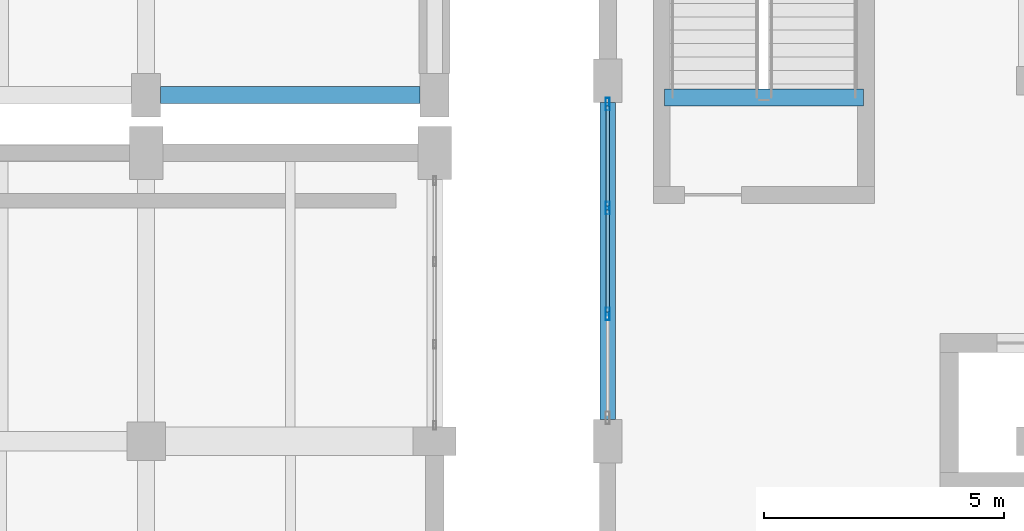
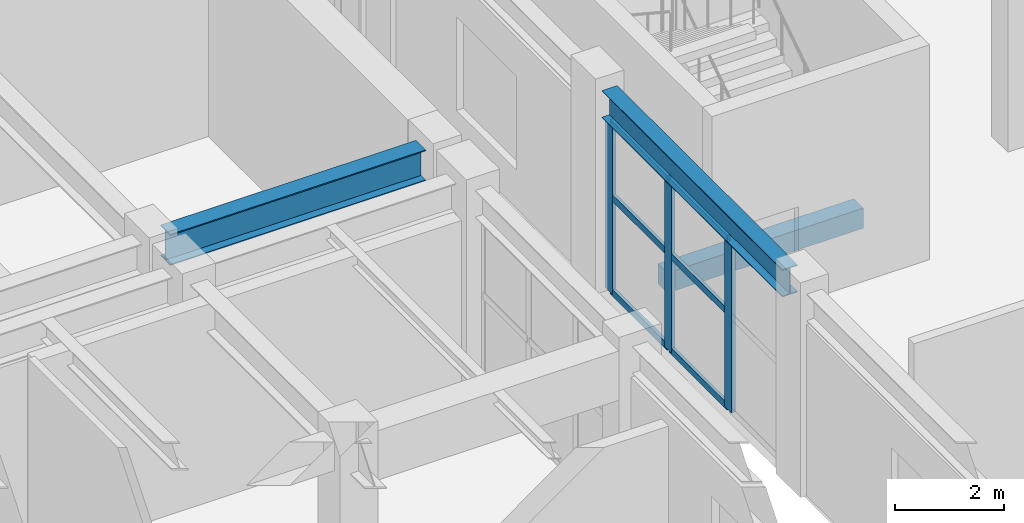
# One storey, part 49 of 96: 9 members, 3 beams, 1 element without a shape of its own.
"""IFC4 building model written with IfcOpenShell, lengths in metres."""

from ifc_helpers import new_model, si_unit, direction, frame, origin, origin_2d, place, context, subcontext, project, spatial, rectangle, hollow_rectangle, i_section, extrude, material, layer, layer_set, material_profile, profile_set, type_object, element, aggregate, save


model = new_model("IFC4")

# Units and contexts
model_context = context("Model", 3, precision=1e-05, world=origin(), true_north=direction((0.0, 1.0)))
body_context = subcontext(model_context, "Body", "Model", "MODEL_VIEW")
ifc_project = project(units=[si_unit("LENGTHUNIT", "METRE"), si_unit("AREAUNIT", "SQUARE_METRE"), si_unit("VOLUMEUNIT", "CUBIC_METRE"), si_unit("PLANEANGLEUNIT", "RADIAN"), si_unit("MASSUNIT", "GRAM", prefix="KILO")], contexts=[model_context])

# Site, building, storey
site_placement = place(None, origin())
site = spatial("IfcSite", under=ifc_project, at=site_placement, CompositionType="ELEMENT")
building_placement = place(site_placement, origin())
building = spatial("IfcBuilding", under=site, at=building_placement, Name="Vaelkrest Opera House", CompositionType="ELEMENT")
storey_placement = place(building_placement, frame((0.0, 0.0, 5.39990234375)))
storey = spatial("IfcBuildingStorey", under=building, at=storey_placement, Name="L01", CompositionType="ELEMENT", Elevation=5.39990234375)

# Curtain wall, members
ifc_material_1 = material(Name="Dark bronze anodized aluminium", Category="aluminium")
ifc_layer = layer(ifc_material_1, 0.25)
ifc_layer_set = layer_set([ifc_layer], Name="Dark bronze anodized aluminium")
curtain_wall_type = type_object("IfcCurtainWallType", Name="CW08", PredefinedType="NOTDEFINED", material=ifc_layer_set)
curtain_wall_placement = place(storey_placement, origin())
curtain_wall = element("IfcCurtainWall", 1, at=curtain_wall_placement, inside=storey, type_object=curtain_wall_type, Name="Curtain wall CW-L01-155", PredefinedType="NOTDEFINED")
ifc_material_profile_1 = material_profile(ifc_material_1, hollow_rectangle(XDim=0.080078125, YDim=0.260009765625, WallThickness=0.0048828125, at=origin_2d()), Name="CWM80X260")
ifc_profile_set_1 = profile_set([ifc_material_profile_1], Name="Dark bronze anodized aluminium")
member_type_1 = type_object("IfcMemberType", Name="CWM04", PredefinedType="MULLION", material=ifc_profile_set_1)
member_1_placement = place(storey_placement, frame((33.60009765625, 12.849365234375, 0.0), z_axis=(0.0, 0.0, 1.0), x_axis=(-1.0, 0.0, 0.0)))
member_1 = element("IfcMember", 2, at=member_1_placement, type_object=member_type_1, Name="CW08 mullion 2", PredefinedType="MULLION", context=body_context, shape_type="SweptSolid", body=[
    extrude(hollow_rectangle(XDim=0.080078125, YDim=0.260009765625, WallThickness=0.0048828125, at=origin_2d()), origin(), (0.0, 0.0, 1.0), 3.82421875),
])
member_2_placement = place(storey_placement, frame((33.60009765625, 15.05078125, 0.0), z_axis=(0.0, 0.0, 1.0), x_axis=(-1.0, 0.0, 0.0)))
member_2 = element("IfcMember", 3, at=member_2_placement, type_object=member_type_1, Name="CW08 mullion 3", PredefinedType="MULLION", context=body_context, shape_type="SweptSolid", body=[
    extrude(hollow_rectangle(XDim=0.080078125, YDim=0.260009765625, WallThickness=0.0048828125, at=origin_2d()), origin(), (0.0, 0.0, 1.0), 3.82421875),
])
member_3_placement = place(storey_placement, frame((33.60009765625, 17.2119140625, 0.0), z_axis=(0.0, 0.0, 1.0), x_axis=(-1.0, 0.0, 0.0)))
member_3 = element("IfcMember", 4, at=member_3_placement, type_object=member_type_1, Name="CW08 mullion 4", PredefinedType="MULLION", context=body_context, shape_type="SweptSolid", body=[
    extrude(hollow_rectangle(XDim=0.080078125, YDim=0.260009765625, WallThickness=0.0048828125, at=origin_2d()), origin(), (0.0, 0.0, 1.0), 3.82421875),
])
ifc_material_profile_2 = material_profile(ifc_material_1, hollow_rectangle(XDim=0.070068359375, YDim=0.14990234375, WallThickness=0.004150390625, at=origin_2d()), Name="CWT70X150")
ifc_profile_set_2 = profile_set([ifc_material_profile_2], Name="Dark bronze anodized aluminium")
member_type_2 = type_object("IfcMemberType", Name="CWT02", PredefinedType="USERDEFINED", material=ifc_profile_set_2)
member_4_placement = place(storey_placement, frame((33.60009765625, 12.889404296875, 0.03515625), z_axis=(0.0, 1.0, 0.0), x_axis=(-1.0, 0.0, 0.0)))
member_4 = element("IfcMember", 5, at=member_4_placement, type_object=member_type_2, Name="CW08 transom 2.1", ObjectType="TRANSOM", PredefinedType="USERDEFINED", context=body_context, shape_type="SweptSolid", body=[
    extrude(hollow_rectangle(XDim=0.070068359375, YDim=0.14990234375, WallThickness=0.004150390625, at=origin_2d()), origin(), (0.0, 0.0, 1.0), 2.121337890625),
])
member_5_placement = place(storey_placement, frame((33.60009765625, 12.889404296875, 2.150146484375), z_axis=(0.0, 1.0, 0.0), x_axis=(-1.0, 0.0, 0.0)))
member_5 = element("IfcMember", 6, at=member_5_placement, type_object=member_type_2, Name="CW08 transom 2.2", ObjectType="TRANSOM", PredefinedType="USERDEFINED", context=body_context, shape_type="SweptSolid", body=[
    extrude(hollow_rectangle(XDim=0.070068359375, YDim=0.14990234375, WallThickness=0.004150390625, at=origin_2d()), origin(), (0.0, 0.0, 1.0), 2.121337890625),
])
member_6_placement = place(storey_placement, frame((33.60009765625, 12.889404296875, 3.7890625), z_axis=(0.0, 1.0, 0.0), x_axis=(-1.0, 0.0, 0.0)))
member_6 = element("IfcMember", 7, at=member_6_placement, type_object=member_type_2, Name="CW08 transom 2.3", ObjectType="TRANSOM", PredefinedType="USERDEFINED", context=body_context, shape_type="SweptSolid", body=[
    extrude(hollow_rectangle(XDim=0.070068359375, YDim=0.14990234375, WallThickness=0.004150390625, at=origin_2d()), origin(), (0.0, 0.0, 1.0), 2.121337890625),
])
member_7_placement = place(storey_placement, frame((33.60009765625, 15.090576171875, 0.03515625), z_axis=(0.0, 1.0, 0.0), x_axis=(-1.0, 0.0, 0.0)))
member_7 = element("IfcMember", 8, at=member_7_placement, type_object=member_type_2, Name="CW08 transom 3.1", ObjectType="TRANSOM", PredefinedType="USERDEFINED", context=body_context, shape_type="SweptSolid", body=[
    extrude(hollow_rectangle(XDim=0.070068359375, YDim=0.14990234375, WallThickness=0.004150390625, at=origin_2d()), origin(), (0.0, 0.0, 1.0), 2.08154296875),
])
member_8_placement = place(storey_placement, frame((33.60009765625, 15.090576171875, 2.150146484375), z_axis=(0.0, 1.0, 0.0), x_axis=(-1.0, 0.0, 0.0)))
member_8 = element("IfcMember", 9, at=member_8_placement, type_object=member_type_2, Name="CW08 transom 3.2", ObjectType="TRANSOM", PredefinedType="USERDEFINED", context=body_context, shape_type="SweptSolid", body=[
    extrude(hollow_rectangle(XDim=0.070068359375, YDim=0.14990234375, WallThickness=0.004150390625, at=origin_2d()), origin(), (0.0, 0.0, 1.0), 2.08154296875),
])
member_9_placement = place(storey_placement, frame((33.60009765625, 15.090576171875, 3.7890625), z_axis=(0.0, 1.0, 0.0), x_axis=(-1.0, 0.0, 0.0)))
member_9 = element("IfcMember", 10, at=member_9_placement, type_object=member_type_2, Name="CW08 transom 3.3", ObjectType="TRANSOM", PredefinedType="USERDEFINED", context=body_context, shape_type="SweptSolid", body=[
    extrude(hollow_rectangle(XDim=0.070068359375, YDim=0.14990234375, WallThickness=0.004150390625, at=origin_2d()), origin(), (0.0, 0.0, 1.0), 2.08154296875),
])
aggregate(curtain_wall, [member_1, member_2, member_3, member_4, member_5, member_6, member_7, member_8, member_9])

# Beams
ifc_material_2 = material(Name="Concrete C50/60", Category="concrete")
ifc_material_profile_3 = material_profile(ifc_material_2, rectangle(XDim=0.35009765625, YDim=0.449951171875, at=origin_2d()), Name="RCB350X450")
ifc_profile_set_3 = profile_set([ifc_material_profile_3], Name="Concrete C50/60")
beam_type_1 = type_object("IfcBeamType", Name="LN01", PredefinedType="LINTEL", material=ifc_profile_set_3)
beam_1_placement = place(storey_placement, frame((34.780029296875, 17.35009765625, -0.224853515625), z_axis=(1.0, 0.0, 0.0), x_axis=(0.0, 1.0, 0.0)))
element("IfcBeam", 11, at=beam_1_placement, inside=storey, type_object=beam_type_1, Name="Stairwell trimmer beam ST09 L01", PredefinedType="LINTEL", context=body_context, shape_type="SweptSolid", body=[
    extrude(rectangle(XDim=0.35009765625, YDim=0.449951171875, at=origin_2d()), origin(), (0.0, 0.0, 1.0), 4.139892578125),
])
ifc_material_3 = material(Name="Steel A992 Gr50", Category="steel")
ifc_material_profile_4 = material_profile(ifc_material_3, i_section(OverallWidth=0.323974609375, OverallDepth=0.611083984375, WebThickness=0.0126953125, FlangeThickness=0.01904296875, at=origin_2d()), Name="W24X104")
ifc_profile_set_4 = profile_set([ifc_material_profile_4], Name="Steel A992 Gr50")
beam_type_2 = type_object("IfcBeamType", Name="SP01", PredefinedType="SPANDREL", material=ifc_profile_set_4)
beam_2_placement = place(storey_placement, frame((33.60009765625, 10.64990234375, 4.194580078125), z_axis=(0.0, 1.0, 0.0), x_axis=(-1.0, 0.0, 0.0)))
element("IfcBeam", 12, at=beam_2_placement, inside=storey, type_object=beam_type_2, Name="Beam BM-V4-L01-2169", PredefinedType="SPANDREL", context=body_context, shape_type="SweptSolid", body=[
    extrude(i_section(OverallWidth=0.323974609375, OverallDepth=0.611083984375, WebThickness=0.0126953125, FlangeThickness=0.01904296875, at=origin_2d()), origin(), (0.0, 0.0, 1.0), 6.60009765625),
])
ifc_material_profile_5 = material_profile(ifc_material_3, i_section(OverallWidth=0.35498046875, OverallDepth=0.695068359375, WebThickness=0.015380859375, FlangeThickness=0.02490234375, at=origin_2d()), Name="W27X146")
ifc_profile_set_5 = profile_set([ifc_material_profile_5], Name="Steel A992 Gr50")
beam_type_3 = type_object("IfcBeamType", Name="SP02", PredefinedType="SPANDREL", material=ifc_profile_set_5)
beam_3_placement = place(storey_placement, frame((24.300048828125, 17.39990234375, 4.152587890625), z_axis=(1.0, 0.0, 0.0), x_axis=(0.0, 1.0, 0.0)))
element("IfcBeam", 13, at=beam_3_placement, inside=storey, type_object=beam_type_3, Name="Beam BM-V2-L01-0871", PredefinedType="SPANDREL", context=body_context, shape_type="SweptSolid", body=[
    extrude(i_section(OverallWidth=0.35498046875, OverallDepth=0.695068359375, WebThickness=0.015380859375, FlangeThickness=0.02490234375, at=origin_2d()), origin(), (0.0, 0.0, 1.0), 5.39990234375),
])

save(model, "model.ifc")
